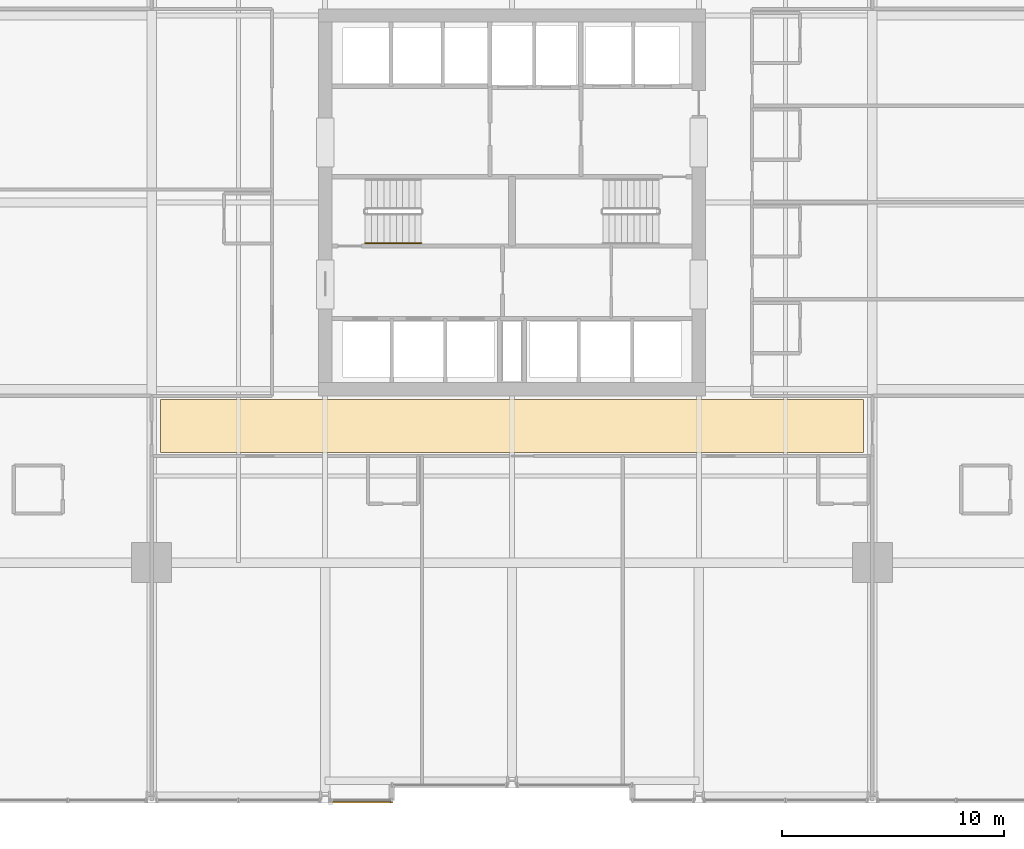
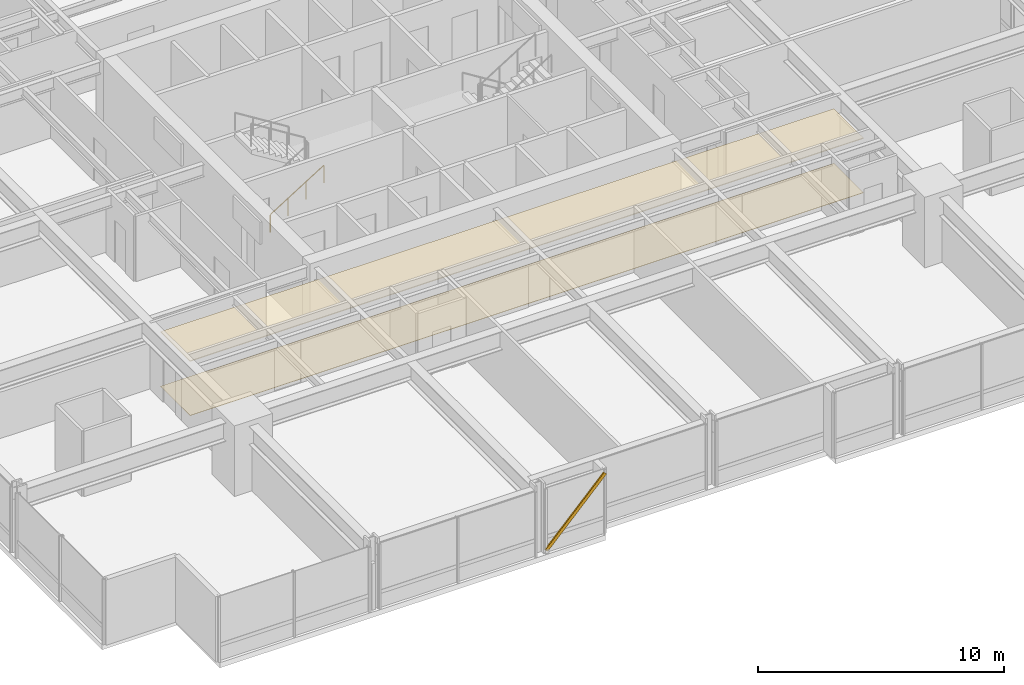
# One storey, part 36 of 38: 2 coverings, 1 railing, 1 shading device.
"""IFC4 building model written with IfcOpenShell, lengths in metres."""

import ifcopenshell
import ifcopenshell.guid

model = None  # the IFC model being written
_history = None  # IfcOwnerHistory: only IFC2X3 demands one
_inside = {}  # id of a spatial element -> (the spatial element, [elements in it])
_under = {}  # id of a project, library or spatial element -> (it, [spatial elements below it])
_declared = {}  # id of a project -> (the project, [libraries it declares])
_typed = {}  # id of a type object -> (the type object, [elements of that type])
_made_of = {}  # id of a material, layer set ... -> (it, [elements and type objects made of it])


def new_model(schema):
    """Start an empty IFC model of exactly this schema.

    Asked for "IFC4X3", IfcOpenShell would pick the latest addendum, in which some entities
    have other attributes; the version numbers below select the first issue.
    IFC2X3 requires an IfcOwnerHistory on every rooted entity: one is made here for all.
    """
    global model, _history
    if schema == "IFC4X3":
        model = ifcopenshell.file(schema_version=(4, 3, 0, 0))
    else:
        model = ifcopenshell.file(schema=schema)
    _inside.clear()
    _under.clear()
    _declared.clear()
    _typed.clear()
    _made_of.clear()
    _history = None
    if model.schema == "IFC2X3":
        org = make("IfcOrganization", Name="unknown")
        user = make(
            "IfcPersonAndOrganization",
            ThePerson=make("IfcPerson", FamilyName="unknown"),
            TheOrganization=org,
        )
        app = make(
            "IfcApplication",
            ApplicationDeveloper=org,
            Version="unknown",
            ApplicationFullName="unknown",
            ApplicationIdentifier="unknown",
        )
        _history = make(
            "IfcOwnerHistory",
            OwningUser=user,
            OwningApplication=app,
            ChangeAction="ADDED",
            CreationDate=0,
        )
    return model


def make(cls, **values):
    """One entity of the class cls with the attributes given. An attribute that is None is left unset."""
    return model.create_entity(
        cls, **{name: value for name, value in values.items() if value is not None}
    )


def rooted(cls, **values):
    """An entity with a GlobalId (a new one), such as an element, a storey or a relation."""
    return make(cls, GlobalId=ifcopenshell.guid.new(), OwnerHistory=_history, **values)


def si_unit(unit_type, name, prefix=None):
    """IfcSIUnit, for example si_unit("LENGTHUNIT", "METRE", prefix="MILLI")."""
    return make("IfcSIUnit", UnitType=unit_type, Prefix=prefix, Name=name)


def assignment(units):
    """IfcUnitAssignment: the units of a project."""
    return None if units is None else make("IfcUnitAssignment", Units=units)


def point(xyz):
    """IfcCartesianPoint."""
    return None if xyz is None else make("IfcCartesianPoint", Coordinates=xyz)


def direction(xyz):
    """IfcDirection."""
    return None if xyz is None else make("IfcDirection", DirectionRatios=xyz)


def frame(location, z_axis=None, x_axis=None):
    """IfcAxis2Placement3D, a coordinate frame: its origin and axes. An axis left out is left unset."""
    return make(
        "IfcAxis2Placement3D",
        Location=point(location),
        Axis=direction(z_axis),
        RefDirection=direction(x_axis),
    )


def frame_2d(location, x_axis=None):
    """IfcAxis2Placement2D, a coordinate frame in the plane: its origin and x axis."""
    return make(
        "IfcAxis2Placement2D", Location=point(location), RefDirection=direction(x_axis)
    )


def origin():
    """The frame at (0, 0, 0) with its axes left unset."""
    return frame((0.0, 0.0, 0.0))


def origin_2d():
    """The frame at (0, 0) in the plane with its x axis left unset."""
    return frame_2d((0.0, 0.0))


def place(relative_to, where):
    """IfcLocalPlacement: puts the frame where relative to a parent placement (None: the world)."""
    return make(
        "IfcLocalPlacement", PlacementRelTo=relative_to, RelativePlacement=where
    )


def context(
    kind, dimensions, precision=None, world=None, true_north=None, identifier=None
):
    """IfcGeometricRepresentationContext, for example the 3D "Model" context."""
    return make(
        "IfcGeometricRepresentationContext",
        ContextIdentifier=identifier,
        ContextType=kind,
        CoordinateSpaceDimension=dimensions,
        Precision=precision,
        WorldCoordinateSystem=world,
        TrueNorth=true_north,
    )


def subcontext(parent, identifier, kind, view, scale=None):
    """IfcGeometricRepresentationSubContext, for example "Body" below "Model"."""
    return make(
        "IfcGeometricRepresentationSubContext",
        ContextIdentifier=identifier,
        ContextType=kind,
        ParentContext=parent,
        TargetScale=scale,
        TargetView=view,
    )


def project(units=None, contexts=None):
    """IfcProject with its units and contexts."""
    return rooted(
        "IfcProject",
        Name="project",
        RepresentationContexts=contexts,
        UnitsInContext=assignment(units),
    )


def spatial(cls, under=None, at=None, **own):
    """A site, building, storey or space (cls), placed at a placement, below another one or the project."""
    s = rooted(cls, ObjectPlacement=at, **own)
    if under is not None:
        _under.setdefault(under.id(), (under, []))[1].append(s)
    return s


def polyline(points):
    """IfcPolyline through the points."""
    return make("IfcPolyline", Points=[point(p) for p in points])


def profile(cls, at=None, kind="AREA", **sizes):
    """A parametric profile (cls). Its sizes go by their IFC names, for example OverallWidth=200.0."""
    return make(cls, ProfileType=kind, Position=at, **sizes)


def hollow_rectangle(**sizes):
    """IfcRectangleHollowProfileDef."""
    return profile("IfcRectangleHollowProfileDef", **sizes)


def circle(**sizes):
    """IfcCircleProfileDef."""
    return profile("IfcCircleProfileDef", **sizes)


def outline(outer, holes=None, kind="AREA"):
    """IfcArbitraryClosedProfileDef: a profile drawn as a closed curve; with holes, ...WithVoids."""
    if holes is None:
        return make("IfcArbitraryClosedProfileDef", ProfileType=kind, OuterCurve=outer)
    return make(
        "IfcArbitraryProfileDefWithVoids",
        ProfileType=kind,
        OuterCurve=outer,
        InnerCurves=holes,
    )


def extrude(swept, where, along, depth):
    """IfcExtrudedAreaSolid: the profile swept, set in the frame where, extruded along a direction by depth."""
    return make(
        "IfcExtrudedAreaSolid",
        SweptArea=swept,
        Position=where,
        ExtrudedDirection=direction(along),
        Depth=depth,
    )


def shape(context_of_items, identifier, shape_type, items):
    """IfcShapeRepresentation: the items that make up one representation, for example the "Body"."""
    return make(
        "IfcShapeRepresentation",
        ContextOfItems=context_of_items,
        RepresentationIdentifier=identifier,
        RepresentationType=shape_type,
        Items=items,
    )


def material(Name=None, Category=None):
    """IfcMaterial."""
    return make("IfcMaterial", Name=Name, Category=Category)


def layer(
    of_material, thickness, ventilated=None, Name=None, Category=None, Priority=None
):
    """IfcMaterialLayer: one layer of a wall or slab, of a material (None: an air gap)."""
    return make(
        "IfcMaterialLayer",
        Material=of_material,
        LayerThickness=thickness,
        IsVentilated=ventilated,
        Name=Name,
        Category=Category,
        Priority=Priority,
    )


def layer_set(layers, Name=None):
    """IfcMaterialLayerSet."""
    return make("IfcMaterialLayerSet", MaterialLayers=layers, LayerSetName=Name)


def material_profile(
    of_material, cross_section, Name=None, Category=None, Priority=None
):
    """IfcMaterialProfile: a cross section and its material."""
    return make(
        "IfcMaterialProfile",
        Name=Name,
        Material=of_material,
        Profile=cross_section,
        Priority=Priority,
        Category=Category,
    )


def profile_set(profiles, Name=None, composite=None):
    """IfcMaterialProfileSet."""
    return make(
        "IfcMaterialProfileSet",
        Name=Name,
        MaterialProfiles=profiles,
        CompositeProfile=composite,
    )


def made_of(thing, what):
    """Note that an element or type object is made of a material, layer set ...; save() writes the relation."""
    if what is not None:
        _made_of.setdefault(what.id(), (what, []))[1].append(thing)
    return thing


def type_object(cls, material=None, **own):
    """A type object (cls), such as IfcWallType, which elements share."""
    return made_of(rooted(cls, **own), material)


def element(
    cls,
    number,
    at=None,
    inside=None,
    cuts=None,
    type_object=None,
    material=None,
    context=None,
    identifier="Body",
    shape_type=None,
    held_by="IfcProductDefinitionShape",
    body=None,
    shapes=None,
    **own,
):
    """One element of the class cls, such as IfcWall. Its Tag is "e" and its number.

    at: its placement. inside: the storey or other place that contains it. cuts: it is an
    opening in that element (IfcRelVoidsElement). A single representation is given by context,
    identifier, shape_type and body (its items); several are given by shapes. held_by: the class
    of the entity that holds the representations. save() writes the other relations.
    """
    e = rooted(cls, Tag="e%d" % number, ObjectPlacement=at, **own)
    if body is not None:
        shapes = [shape(context, identifier, shape_type, body)]
    if shapes is not None:
        e.Representation = make(held_by, Representations=shapes)
    if inside is not None:
        _inside.setdefault(inside.id(), (inside, []))[1].append(e)
    if cuts is not None:
        rooted(
            "IfcRelVoidsElement", RelatingBuildingElement=cuts, RelatedOpeningElement=e
        )
    if type_object is not None:
        _typed.setdefault(type_object.id(), (type_object, []))[1].append(e)
    return made_of(e, material)


def aggregate(whole, parts):
    """IfcRelAggregates: a whole, such as a stair, and the parts it consists of."""
    return rooted("IfcRelAggregates", RelatingObject=whole, RelatedObjects=parts)


def save(model, path):
    """Write the relations noted so far, then the file.

    IfcRelAggregates (storeys below a building ...), IfcRelContainedInSpatialStructure (elements
    in a storey), IfcRelDefinesByType, IfcRelAssociatesMaterial and IfcRelDeclares: one each for
    every whole, place, type object, material and project.
    """
    for whole, parts in _under.values():
        aggregate(whole, parts)
    for where, things in _inside.values():
        rooted(
            "IfcRelContainedInSpatialStructure",
            RelatedElements=things,
            RelatingStructure=where,
        )
    for kind, things in _typed.values():
        rooted("IfcRelDefinesByType", RelatedObjects=things, RelatingType=kind)
    for what, things in _made_of.values():
        rooted("IfcRelAssociatesMaterial", RelatedObjects=things, RelatingMaterial=what)
    for by, libraries in _declared.values():
        rooted("IfcRelDeclares", RelatingContext=by, RelatedDefinitions=libraries)
    model.write(path)


model = new_model("IFC4")

# Units and contexts
model_context = context("Model", 3, precision=1e-05, world=origin(), true_north=direction((0.0, 1.0)))
body_context = subcontext(model_context, "Body", "Model", "MODEL_VIEW")
ifc_project = project(units=[si_unit("LENGTHUNIT", "METRE"), si_unit("AREAUNIT", "SQUARE_METRE"), si_unit("VOLUMEUNIT", "CUBIC_METRE"), si_unit("PLANEANGLEUNIT", "RADIAN"), si_unit("MASSUNIT", "GRAM", prefix="KILO")], contexts=[model_context])

# Site, building, storey
site_placement = place(None, origin())
site = spatial("IfcSite", under=ifc_project, at=site_placement, CompositionType="ELEMENT")
building_placement = place(site_placement, origin())
building = spatial("IfcBuilding", under=site, at=building_placement, Name="Drelvath Grand Hotel", CompositionType="ELEMENT")
storey_placement = place(building_placement, frame((0.0, 0.0, 47.199951171875)))
storey = spatial("IfcBuildingStorey", under=building, at=storey_placement, Name="L10", CompositionType="ELEMENT", Elevation=47.199951171875)

# Railing
ifc_material_1 = material(Name="Painted Steel S275", Category="steel")
railing_type = type_object("IfcRailingType", Name="Core Stair Wall Handrail 900", PredefinedType="HANDRAIL", material=ifc_material_1)
railing_placement = place(storey_placement, frame((-6.60009765625, 25.169921875, 0.175048828125)))
element("IfcRailing", 1, at=railing_placement, inside=storey, type_object=railing_type, Name="L10 ST-1 stair handrail 1", PredefinedType="HANDRAIL", context=body_context, shape_type="SweptSolid", body=[
    extrude(circle(Radius=0.02392578125, at=origin_2d()), frame((0.0, 0.0, 0.8759765625), z_axis=(0.848007534815, 0.0, 0.529984170421), x_axis=(0.0, 1.0, 0.0)), (0.0, 0.0, 1.0), 2.9716796875),
    extrude(circle(Radius=0.02099609375, at=origin_2d()), origin(), (0.0, 0.0, 1.0), 0.851806640625),
    extrude(circle(Radius=0.02099609375, at=origin_2d()), frame((0.840087890625, 0.0, 0.52490234375)), (0.0, 0.0, 1.0), 0.851806640625),
    extrude(circle(Radius=0.02099609375, at=origin_2d()), frame((1.679931640625, 0.0, 1.050048828125)), (0.0, 0.0, 1.0), 0.851806640625),
    extrude(circle(Radius=0.02099609375, at=origin_2d()), frame((2.52001953125, 0.0, 1.574951171875)), (0.0, 0.0, 1.0), 0.851806640625),
])

# Shading device
ifc_material_2 = material(Name="Warm Bronze Anodised Aluminium", Category="aluminium")
ifc_material_profile = material_profile(ifc_material_2, hollow_rectangle(XDim=0.06494140625, YDim=0.159912109375, WallThickness=0.00390625, at=origin_2d()), Name="HSS160X65X4")
ifc_profile_set = profile_set([ifc_material_profile], Name="Warm Bronze Anodised Aluminium")
shading_device_type = type_object("IfcShadingDeviceType", Name="Diagonal Solar Fin Warm Bronze Anodised HSS160X65X4", PredefinedType="USERDEFINED", material=ifc_profile_set)
shading_device_placement = place(storey_placement, frame((-8.1591796875, 0.0400390625, 0.179931640625), z_axis=(0.691795011039, 0.0, 0.722093943128), x_axis=(0.0, 1.0, 0.0)))
element("IfcShadingDevice", 2, at=shading_device_placement, inside=storey, type_object=shading_device_type, Name="L10 Diagonal Anodised Fin CW02-L10-SW3", ObjectType="FIN", PredefinedType="USERDEFINED", context=body_context, shape_type="SweptSolid", body=[
    extrude(hollow_rectangle(XDim=0.06494140625, YDim=0.159912109375, WallThickness=0.00390625, at=origin_2d()), origin(), (0.0, 0.0, 1.0), 3.988525390625),
])

# Coverings
ifc_material_3 = material(Name="Woven Wool Broadloom Carpet")
ifc_layer_1 = layer(ifc_material_3, 0.01806640625)
ifc_layer_set_1 = layer_set([ifc_layer_1], Name="Woven Wool Broadloom Carpet")
covering_type_1 = type_object("IfcCoveringType", Name="Hospitality Broadloom Carpet 18", PredefinedType="FLOORING", material=ifc_layer_set_1)
covering_1_placement = place(storey_placement, origin())
element("IfcCovering", 3, at=covering_1_placement, inside=storey, type_object=covering_type_1, Name="L10 Corridor Broadloom Carpet", PredefinedType="FLOORING", context=body_context, shape_type="SweptSolid", body=[
    extrude(outline(polyline([(15.800048828125, 15.75), (15.800048828125, 18.14990234375), (-15.800048828125, 18.14990234375), (-15.800048828125, 15.75), (15.800048828125, 15.75)])), origin(), (0.0, 0.0, 1.0), 0.01806640625),
])
ifc_material_4 = material(Name="Anodised Aluminium Alloy", Category="aluminium")
ifc_layer_2 = layer(ifc_material_4, 0.0400390625)
ifc_layer_set_2 = layer_set([ifc_layer_2], Name="Anodised Aluminium Alloy")
covering_type_2 = type_object("IfcCoveringType", Name="Perforated Metal Corridor Ceiling 40", PredefinedType="CEILING", material=ifc_layer_set_2)
covering_2_placement = place(storey_placement, frame((0.0, 0.0, 2.68994140625)))
element("IfcCovering", 4, at=covering_2_placement, inside=storey, type_object=covering_type_2, Name="L10 Corridor Acoustic Ceiling", PredefinedType="CEILING", context=body_context, shape_type="SweptSolid", body=[
    extrude(outline(polyline([(15.800048828125, 15.75), (15.800048828125, 18.14990234375), (-15.800048828125, 18.14990234375), (-15.800048828125, 15.75), (15.800048828125, 15.75)])), origin(), (0.0, 0.0, 1.0), 0.0400390625),
])

save(model, "model.ifc")
